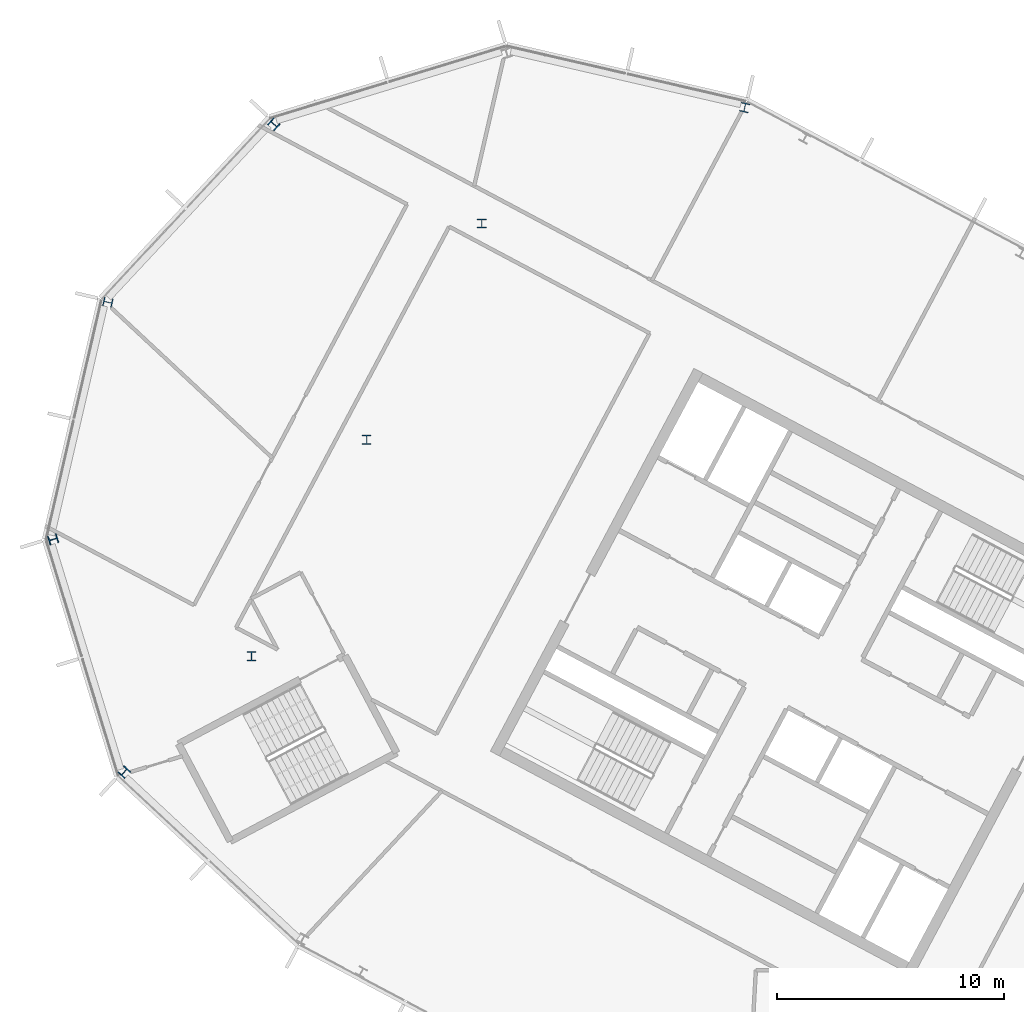
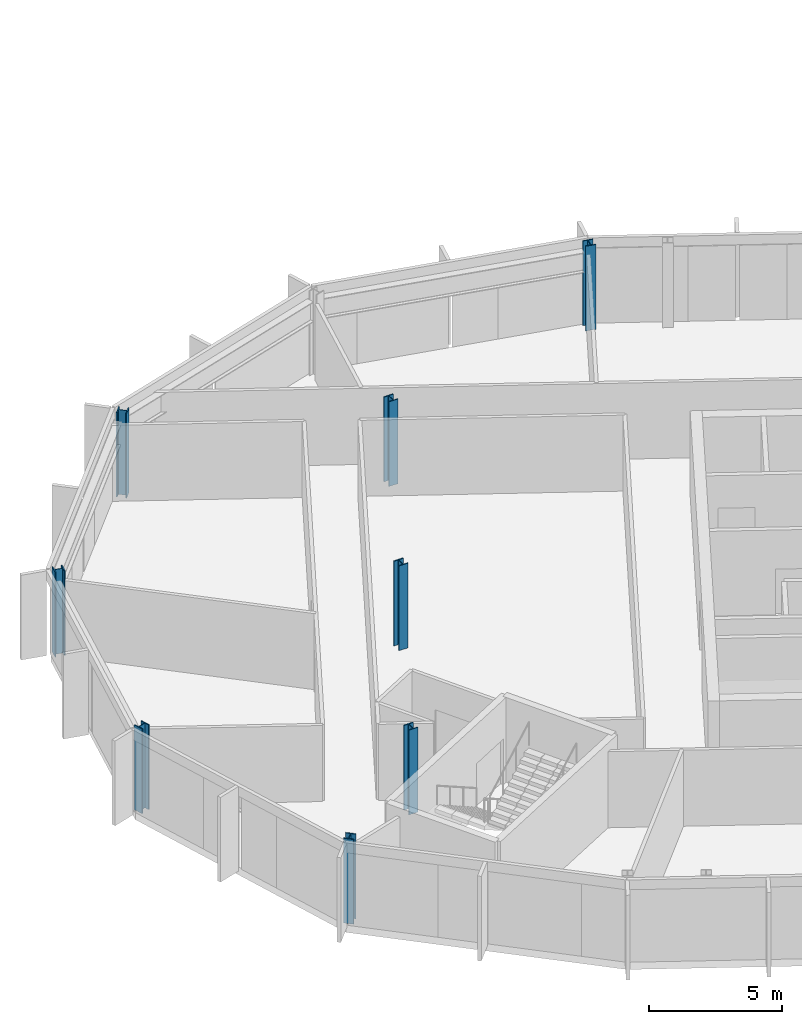
# One storey, part 3 of 35: 8 columns.
"""IFC4 building model written with IfcOpenShell, lengths in metres."""

from ifc_helpers import new_model, si_unit, direction, frame, origin, origin_2d, place, context, subcontext, project, spatial, i_section, extrude, material, material_profile, profile_set, type_object, element, save


model = new_model("IFC4")

# Units and contexts
model_context = context("Model", 3, precision=1e-05, world=origin(), true_north=direction((0.0, 1.0)))
body_context = subcontext(model_context, "Body", "Model", "MODEL_VIEW")
ifc_project = project(units=[si_unit("LENGTHUNIT", "METRE"), si_unit("AREAUNIT", "SQUARE_METRE"), si_unit("VOLUMEUNIT", "CUBIC_METRE"), si_unit("PLANEANGLEUNIT", "RADIAN"), si_unit("MASSUNIT", "GRAM", prefix="KILO")], contexts=[model_context])

# Site, building, storey
site_placement = place(None, origin())
site = spatial("IfcSite", under=ifc_project, at=site_placement, CompositionType="ELEMENT")
building_placement = place(site_placement, origin())
building = spatial("IfcBuilding", under=site, at=building_placement, Name="Cormorant Relay Tower", CompositionType="ELEMENT")
storey_placement = place(building_placement, frame((0.0, 0.0, 324.300048828125)))
storey = spatial("IfcBuildingStorey", under=building, at=storey_placement, Name="L74", CompositionType="ELEMENT", Elevation=324.300048828125)

# Columns
ifc_material = material(Name="Steel ASTM A992 (Fy 345 MPa)", Category="steel")
ifc_material_profile = material_profile(ifc_material, i_section(OverallWidth=0.40380859375, OverallDepth=0.406494140625, WebThickness=0.027099609375, FlangeThickness=0.043701171875, FilletRadius=0.01513671875, at=origin_2d()), Name="W360x347")
ifc_profile_set = profile_set([ifc_material_profile], Name="Steel ASTM A992 (Fy 345 MPa)")
column_type = type_object("IfcColumnType", Name="Column W360x347", PredefinedType="COLUMN", material=ifc_profile_set)
for number, where, z_axis, x_axis, name in (
    (1, (-57.2958984375, 10.152099609375, 0.0), (0.0, 0.0, 1.0), (0.731353701619, -0.681998360062, 0.0), "Column L74-022"),
    (2, (-51.68994140625, 15.251953125, 0.0), (0.0, 0.0, 1.0), (1.0, 0.0, 0.0), "Column L74-026"),
    (3, (-60.429931640625, 20.403076171875, 0.0), (0.0, 0.0, 1.0), (0.292371704723, -0.956304755963, 0.0), "Column L74-028"),
    (4, (-46.6201171875, 24.7880859375, 0.0), (0.0, 0.0, 1.0), (1.0, 0.0, 0.0), "Column L74-030"),
    (5, (-58.01806640625, 30.84912109375, 0.0), (0.0, 0.0, 1.0), (-0.224951054344, -0.974370064785, 0.0), "Column L74-034"),
    (6, (-41.549072265625, 34.323974609375, 0.0), (0.0, 0.0, 1.0), (1.0, 0.0, 0.0), "Column L74-037"),
    (7, (-50.70703125, 38.68896484375, 0.0), (0.0, 0.0, 1.0), (-0.681998360062, -0.731353701619, 0.0), "Column L74-041"),
    (8, (-29.965087890625, 39.425048828125, 0.0), (0.0, 0.0, 1.0), (-0.974370064785, 0.224951054344, 0.0), "Column L74-042"),
):
    element("IfcColumn", number, at=place(storey_placement, frame(where, z_axis=z_axis, x_axis=x_axis)), inside=storey, type_object=column_type, Name=name, PredefinedType="COLUMN", context=body_context, shape_type="SweptSolid", body=[
        extrude(i_section(OverallWidth=0.40380859375, OverallDepth=0.406494140625, WebThickness=0.027099609375, FlangeThickness=0.043701171875, FilletRadius=0.01513671875, at=origin_2d()), origin(), (0.0, 0.0, 1.0), 3.89990234375),
    ])

save(model, "model.ifc")
